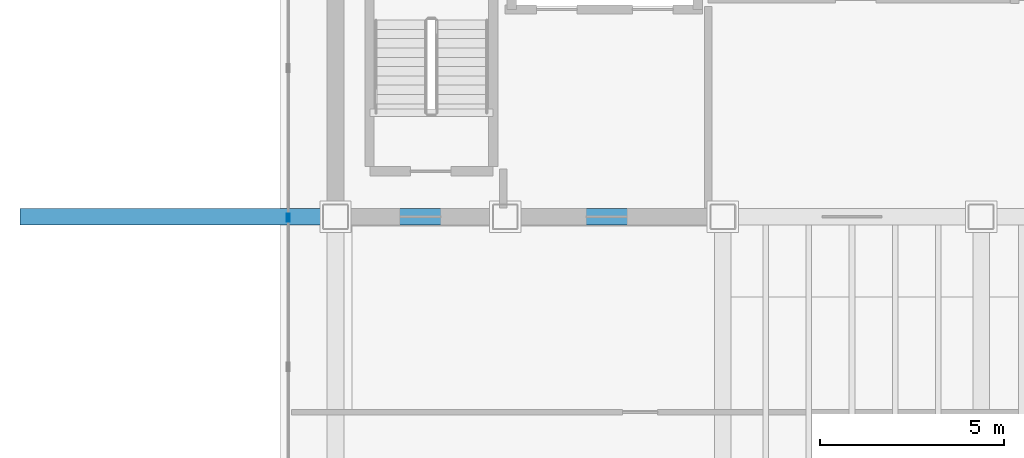
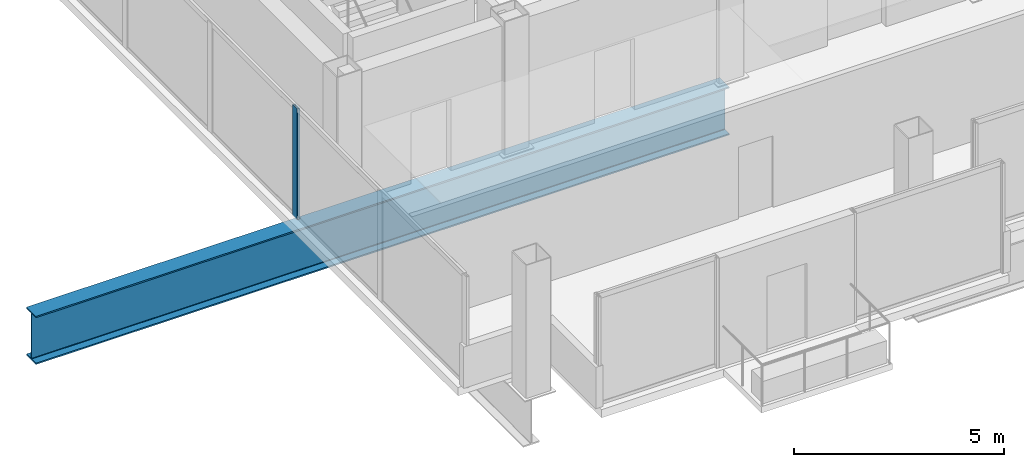
# One storey, part 4 of 17: 1 beam, 1 member, 1 element without a shape of its own.
"""IFC4 building model written with IfcOpenShell, lengths in metres."""

from ifc_helpers import new_model, si_unit, direction, frame, origin, origin_2d, place, context, subcontext, project, spatial, hollow_rectangle, i_section, extrude, material, material_profile, profile_set, type_object, element, aggregate, save


model = new_model("IFC4")

# Units and contexts
model_context = context("Model", 3, precision=1e-05, world=origin(), true_north=direction((0.0, 1.0)))
body_context = subcontext(model_context, "Body", "Model", "MODEL_VIEW")
ifc_project = project(units=[si_unit("LENGTHUNIT", "METRE"), si_unit("AREAUNIT", "SQUARE_METRE"), si_unit("VOLUMEUNIT", "CUBIC_METRE"), si_unit("PLANEANGLEUNIT", "RADIAN"), si_unit("MASSUNIT", "GRAM", prefix="KILO")], contexts=[model_context])

# Site, building, storey
site_placement = place(None, origin())
site = spatial("IfcSite", under=ifc_project, at=site_placement, CompositionType="ELEMENT")
building_placement = place(site_placement, origin())
building = spatial("IfcBuilding", under=site, at=building_placement, Name="Noeulbin Bourse Tower", CompositionType="ELEMENT")
storey_placement = place(building_placement, frame((0.0, 0.0, 281.300048828125)))
storey = spatial("IfcBuildingStorey", under=building, at=storey_placement, Name="L70", CompositionType="ELEMENT", Elevation=281.300048828125)

# Beam
ifc_material_1 = material(Name="Steel S460", Category="steel")
ifc_material_profile_1 = material_profile(ifc_material_1, i_section(OverallWidth=0.449951171875, OverallDepth=1.39990234375, WebThickness=0.02392578125, FlangeThickness=0.0400390625, FilletRadius=0.02392578125, at=origin_2d()), Name="PG-1400x450x24x40", Category="LoadBearing")
ifc_profile_set_1 = profile_set([ifc_material_profile_1], Name="Steel S460")
beam_type = type_object("IfcBeamType", Name="BM-TRF-1400", PredefinedType="USERDEFINED", material=ifc_profile_set_1)
beam_placement = place(storey_placement, frame((4.949951171875, 29.0, -0.93994140625), z_axis=(1.0, 0.0, 0.0), x_axis=(0.0, 1.0, 0.0)))
element("IfcBeam", 1, at=beam_placement, inside=storey, type_object=beam_type, Name="Tower Primary Girder EW L70-2.1", ObjectType="GIRDER", PredefinedType="USERDEFINED", context=body_context, shape_type="SweptSolid", body=[
    extrude(i_section(OverallWidth=0.449951171875, OverallDepth=1.39990234375, WebThickness=0.02392578125, FlangeThickness=0.0400390625, FilletRadius=0.02392578125, at=origin_2d()), origin(), (0.0, 0.0, 1.0), 19.050048828125),
])

# Curtain wall, member
ifc_material_2 = material(Name="High-Selectivity Low-Iron Glazing", Category="glass")
curtain_wall_type = type_object("IfcCurtainWallType", Name="CW-SYS-4", PredefinedType="NOTDEFINED", material=ifc_material_2)
curtain_wall_placement = place(storey_placement, origin())
curtain_wall = element("IfcCurtainWall", 2, at=curtain_wall_placement, inside=storey, type_object=curtain_wall_type, Name="Unitised Curtain Wall CW-L70-W", PredefinedType="NOTDEFINED")
ifc_material_3 = material(Name="Anodised Aluminium 6063-T6", Category="aluminium")
ifc_material_profile_2 = material_profile(ifc_material_3, hollow_rectangle(XDim=0.074951171875, YDim=0.219970703125, WallThickness=0.0048828125, InnerFilletRadius=0.00244140625, OuterFilletRadius=0.0048828125, at=origin_2d()), Name="ALU-MULL-75x220x5", Category="LoadBearing")
ifc_profile_set_2 = profile_set([ifc_material_profile_2], Name="Anodised Aluminium 6063-T6")
member_type = type_object("IfcMemberType", Name="CW-SYS-4-MUL", PredefinedType="MULLION", material=ifc_profile_set_2)
member_placement = place(storey_placement, frame((12.219970703125, 28.97607421875, -0.02001953125), z_axis=(0.0, 0.0, 1.0), x_axis=(1.0, 0.0, 0.0)))
member = element("IfcMember", 3, at=member_placement, type_object=member_type, Name="Curtain Wall Mullion CW-L70-W-M02", PredefinedType="MULLION", context=body_context, shape_type="SweptSolid", body=[
    extrude(hollow_rectangle(XDim=0.074951171875, YDim=0.219970703125, WallThickness=0.0048828125, InnerFilletRadius=0.00244140625, OuterFilletRadius=0.0048828125, at=origin_2d()), origin(), (0.0, 0.0, 1.0), 3.219970703125),
])
aggregate(curtain_wall, [member])

save(model, "model.ifc")
